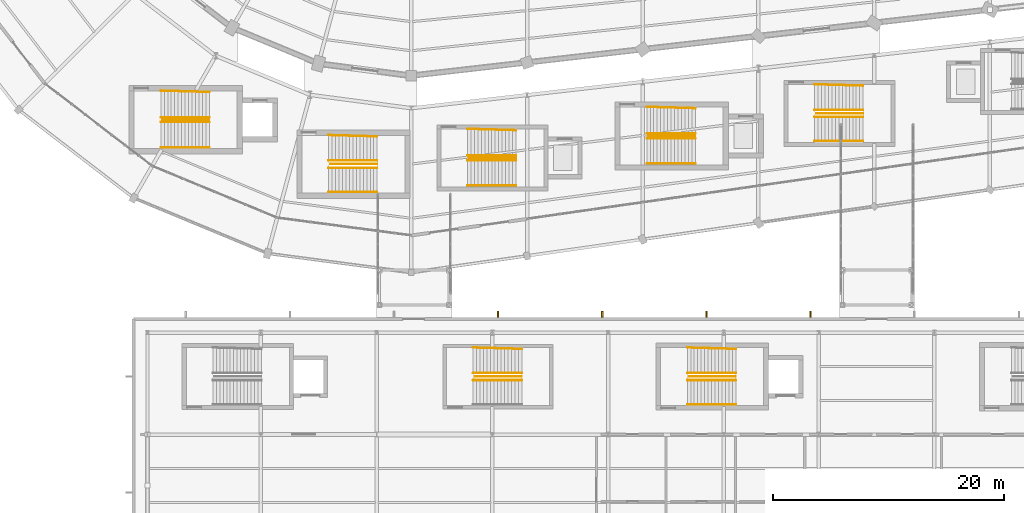
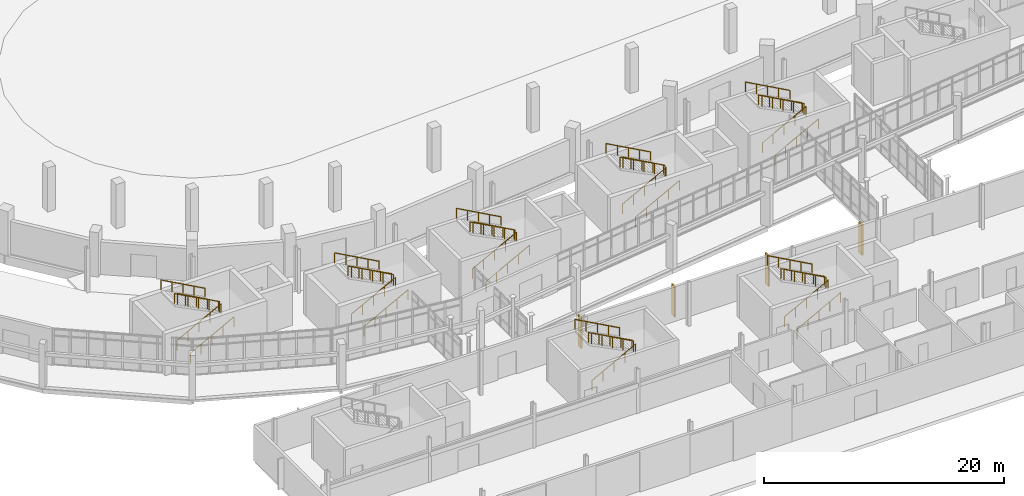
# One storey, part 117 of 122: 34 railings, 4 shading devices.
"""IFC4 building model written with IfcOpenShell, lengths in metres."""

from ifc_helpers import new_model, si_unit, direction, frame, origin, origin_2d, place, context, subcontext, project, spatial, rectangle, circle, extrude, material, layer, layer_set, type_object, element, save


model = new_model("IFC4")

# Units and contexts
model_context = context("Model", 3, precision=1e-05, world=origin(), true_north=direction((0.0, 1.0)))
body_context = subcontext(model_context, "Body", "Model", "MODEL_VIEW")
ifc_project = project(units=[si_unit("LENGTHUNIT", "METRE"), si_unit("AREAUNIT", "SQUARE_METRE"), si_unit("VOLUMEUNIT", "CUBIC_METRE"), si_unit("PLANEANGLEUNIT", "RADIAN"), si_unit("MASSUNIT", "GRAM", prefix="KILO")], contexts=[model_context])

# Site, building, storey
site_placement = place(None, origin())
site = spatial("IfcSite", under=ifc_project, at=site_placement, CompositionType="ELEMENT")
building_placement = place(site_placement, origin())
building = spatial("IfcBuilding", under=site, at=building_placement, Name="Sohan Crest Arena", CompositionType="ELEMENT")
storey_placement = place(building_placement, origin())
storey = spatial("IfcBuildingStorey", under=building, at=storey_placement, Name="L00", CompositionType="ELEMENT", Elevation=0.0)

# Railings
ifc_material_1 = material(Name="Powder-coated wrought steel balustrade", Category="steel")
railing_type_1 = type_object("IfcRailingType", Name="ARC-GRD-01", PredefinedType="GUARDRAIL", material=ifc_material_1)
for number, where, name in (
    (1, (80.530029296875, 43.199951171875, 2.25), "Stair well slot guard GRD-016"),
    (2, (107.030029296875, 39.89990234375, 2.25), "Stair well slot guard GRD-029"),
    (3, (122.530029296875, 41.800048828125, 2.25), "Stair well slot guard GRD-041"),
    (4, (107.530029296875, 21.0, 2.25), "Stair well slot guard GRD-067"),
    (5, (126.030029296875, 21.0, 2.25), "Stair well slot guard GRD-094"),
    (6, (95.030029296875, 39.360107421875, 2.25), "Stair well slot guard GRD-100"),
    (7, (137.030029296875, 43.75, 2.25), "Stair well slot guard GRD-112"),
):
    element("IfcRailing", number, at=place(storey_placement, frame(where)), inside=storey, type_object=railing_type_1, Name=name, PredefinedType="GUARDRAIL", context=body_context, shape_type="SweptSolid", body=[
        extrude(circle(Radius=0.02392578125, at=origin_2d()), frame((0.0, 0.0, 1.076171875), z_axis=(-0.87313487534, 0.0, 0.487478706678), x_axis=(0.0, -1.0, 0.0)), (0.0, 0.0, 1.0), 4.615478515625),
        extrude(circle(Radius=0.02099609375, at=origin_2d()), origin(), (0.0, 0.0, 1.0), 1.052001953125),
        extrude(circle(Radius=0.02099609375, at=origin_2d()), frame((-1.007568359375, 0.0, 0.5625)), (0.0, 0.0, 1.0), 1.052001953125),
        extrude(circle(Radius=0.02099609375, at=origin_2d()), frame((-2.01513671875, 0.0, 1.125)), (0.0, 0.0, 1.0), 1.052001953125),
        extrude(circle(Radius=0.02099609375, at=origin_2d()), frame((-3.0224609375, 0.0, 1.6875)), (0.0, 0.0, 1.0), 1.052001953125),
        extrude(circle(Radius=0.02099609375, at=origin_2d()), frame((-4.030029296875, 0.0, 2.25)), (0.0, 0.0, 1.0), 1.052001953125),
    ])
ifc_material_2 = material(Name="Brushed stainless steel stair handrail", Category="steel")
railing_type_2 = type_object("IfcRailingType", Name="ARC-HR-01", PredefinedType="HANDRAIL", material=ifc_material_2)
for number, where, name in (
    (8, (76.35009765625, 40.81005859375, 0.0), "Stair pitch handrail HR-053"),
    (9, (76.35009765625, 42.989990234375, 0.0), "Stair pitch handrail HR-054"),
):
    element("IfcRailing", number, at=place(storey_placement, frame(where)), inside=storey, type_object=railing_type_2, Name=name, PredefinedType="HANDRAIL", context=body_context, shape_type="SweptSolid", body=[
        extrude(circle(Radius=0.02392578125, at=origin_2d()), frame((0.0, 0.0, 0.97607421875), z_axis=(0.881477684796, 0.0, 0.472225678258), x_axis=(0.0, 1.0, 0.0)), (0.0, 0.0, 1.0), 4.7646484375),
        extrude(circle(Radius=0.02099609375, at=origin_2d()), origin(), (0.0, 0.0, 1.0), 0.951904296875),
        extrude(circle(Radius=0.02099609375, at=origin_2d()), frame((1.050048828125, 0.0, 0.5625)), (0.0, 0.0, 1.0), 0.951904296875),
        extrude(circle(Radius=0.02099609375, at=origin_2d()), frame((2.10009765625, 0.0, 1.125)), (0.0, 0.0, 1.0), 0.951904296875),
        extrude(circle(Radius=0.02099609375, at=origin_2d()), frame((3.14990234375, 0.0, 1.6875)), (0.0, 0.0, 1.0), 0.951904296875),
        extrude(circle(Radius=0.02099609375, at=origin_2d()), frame((4.199951171875, 0.0, 2.25)), (0.0, 0.0, 1.0), 0.951904296875),
    ])
railing_1_placement = place(storey_placement, frame((80.550048828125, 43.409912109375, 2.25)))
element("IfcRailing", 10, at=railing_1_placement, inside=storey, type_object=railing_type_2, Name="Stair pitch handrail HR-055", PredefinedType="HANDRAIL", context=body_context, shape_type="SweptSolid", body=[
    extrude(circle(Radius=0.02392578125, at=origin_2d()), frame((0.0, 0.0, 0.97607421875), z_axis=(-0.881477684796, 0.0, 0.472225678258), x_axis=(0.0, -1.0, 0.0)), (0.0, 0.0, 1.0), 4.7646484375),
    extrude(circle(Radius=0.02099609375, at=origin_2d()), origin(), (0.0, 0.0, 1.0), 0.951904296875),
    extrude(circle(Radius=0.02099609375, at=origin_2d()), frame((-1.050048828125, 0.0, 0.5625)), (0.0, 0.0, 1.0), 0.951904296875),
    extrude(circle(Radius=0.02099609375, at=origin_2d()), frame((-2.10009765625, 0.0, 1.125)), (0.0, 0.0, 1.0), 0.951904296875),
    extrude(circle(Radius=0.02099609375, at=origin_2d()), frame((-3.14990234375, 0.0, 1.6875)), (0.0, 0.0, 1.0), 0.951904296875),
    extrude(circle(Radius=0.02099609375, at=origin_2d()), frame((-4.199951171875, 0.0, 2.25)), (0.0, 0.0, 1.0), 0.951904296875),
])
railing_2_placement = place(storey_placement, frame((80.550048828125, 45.590087890625, 2.25)))
element("IfcRailing", 11, at=railing_2_placement, inside=storey, type_object=railing_type_2, Name="Stair pitch handrail HR-056", PredefinedType="HANDRAIL", context=body_context, shape_type="SweptSolid", body=[
    extrude(circle(Radius=0.02392578125, at=origin_2d()), frame((0.0, 0.0, 0.97607421875), z_axis=(-0.881198846469, 0.025150766356, 0.472076298847), x_axis=(-0.028529915312, -0.999592939117, 0.0)), (0.0, 0.0, 1.0), 4.76611328125),
    extrude(circle(Radius=0.02099609375, at=origin_2d()), origin(), (0.0, 0.0, 1.0), 0.951904296875),
    extrude(circle(Radius=0.02099609375, at=origin_2d()), frame((-1.050048828125, 0.030029296875, 0.5625)), (0.0, 0.0, 1.0), 0.951904296875),
    extrude(circle(Radius=0.02099609375, at=origin_2d()), frame((-2.10009765625, 0.06005859375, 1.125)), (0.0, 0.0, 1.0), 0.951904296875),
    extrude(circle(Radius=0.02099609375, at=origin_2d()), frame((-3.14990234375, 0.08984375, 1.6875)), (0.0, 0.0, 1.0), 0.951904296875),
    extrude(circle(Radius=0.02099609375, at=origin_2d()), frame((-4.199951171875, 0.119873046875, 2.25)), (0.0, 0.0, 1.0), 0.951904296875),
])
for number, where, name in (
    (12, (102.85009765625, 37.510009765625, 0.0), "Stair pitch handrail HR-097"),
    (13, (102.85009765625, 39.68994140625, 0.0), "Stair pitch handrail HR-098"),
):
    element("IfcRailing", number, at=place(storey_placement, frame(where)), inside=storey, type_object=railing_type_2, Name=name, PredefinedType="HANDRAIL", context=body_context, shape_type="SweptSolid", body=[
        extrude(circle(Radius=0.02392578125, at=origin_2d()), frame((0.0, 0.0, 0.97607421875), z_axis=(0.881477684796, 0.0, 0.472225678258), x_axis=(0.0, 1.0, 0.0)), (0.0, 0.0, 1.0), 4.7646484375),
        extrude(circle(Radius=0.02099609375, at=origin_2d()), origin(), (0.0, 0.0, 1.0), 0.951904296875),
        extrude(circle(Radius=0.02099609375, at=origin_2d()), frame((1.050048828125, 0.0, 0.5625)), (0.0, 0.0, 1.0), 0.951904296875),
        extrude(circle(Radius=0.02099609375, at=origin_2d()), frame((2.10009765625, 0.0, 1.125)), (0.0, 0.0, 1.0), 0.951904296875),
        extrude(circle(Radius=0.02099609375, at=origin_2d()), frame((3.14990234375, 0.0, 1.6875)), (0.0, 0.0, 1.0), 0.951904296875),
        extrude(circle(Radius=0.02099609375, at=origin_2d()), frame((4.199951171875, 0.0, 2.25)), (0.0, 0.0, 1.0), 0.951904296875),
    ])
railing_3_placement = place(storey_placement, frame((107.050048828125, 40.110107421875, 2.25)))
element("IfcRailing", 14, at=railing_3_placement, inside=storey, type_object=railing_type_2, Name="Stair pitch handrail HR-099", PredefinedType="HANDRAIL", context=body_context, shape_type="SweptSolid", body=[
    extrude(circle(Radius=0.02392578125, at=origin_2d()), frame((0.0, 0.0, 0.97607421875), z_axis=(-0.881477684796, 0.0, 0.472225678258), x_axis=(0.0, -1.0, 0.0)), (0.0, 0.0, 1.0), 4.7646484375),
    extrude(circle(Radius=0.02099609375, at=origin_2d()), origin(), (0.0, 0.0, 1.0), 0.951904296875),
    extrude(circle(Radius=0.02099609375, at=origin_2d()), frame((-1.050048828125, 0.0, 0.5625)), (0.0, 0.0, 1.0), 0.951904296875),
    extrude(circle(Radius=0.02099609375, at=origin_2d()), frame((-2.10009765625, 0.0, 1.125)), (0.0, 0.0, 1.0), 0.951904296875),
    extrude(circle(Radius=0.02099609375, at=origin_2d()), frame((-3.14990234375, 0.0, 1.6875)), (0.0, 0.0, 1.0), 0.951904296875),
    extrude(circle(Radius=0.02099609375, at=origin_2d()), frame((-4.199951171875, 0.0, 2.25)), (0.0, 0.0, 1.0), 0.951904296875),
])
railing_4_placement = place(storey_placement, frame((107.050048828125, 42.2900390625, 2.25)))
element("IfcRailing", 15, at=railing_4_placement, inside=storey, type_object=railing_type_2, Name="Stair pitch handrail HR-100", PredefinedType="HANDRAIL", context=body_context, shape_type="SweptSolid", body=[
    extrude(circle(Radius=0.02392578125, at=origin_2d()), frame((0.0, 0.0, 0.97607421875), z_axis=(-0.881198846469, 0.025150766356, 0.472076298847), x_axis=(-0.028529915312, -0.999592939117, 0.0)), (0.0, 0.0, 1.0), 4.76611328125),
    extrude(circle(Radius=0.02099609375, at=origin_2d()), origin(), (0.0, 0.0, 1.0), 0.951904296875),
    extrude(circle(Radius=0.02099609375, at=origin_2d()), frame((-1.050048828125, 0.030029296875, 0.5625)), (0.0, 0.0, 1.0), 0.951904296875),
    extrude(circle(Radius=0.02099609375, at=origin_2d()), frame((-2.10009765625, 0.06005859375, 1.125)), (0.0, 0.0, 1.0), 0.951904296875),
    extrude(circle(Radius=0.02099609375, at=origin_2d()), frame((-3.14990234375, 0.08984375, 1.6875)), (0.0, 0.0, 1.0), 0.951904296875),
    extrude(circle(Radius=0.02099609375, at=origin_2d()), frame((-4.199951171875, 0.119873046875, 2.25)), (0.0, 0.0, 1.0), 0.951904296875),
])
for number, where, name in (
    (16, (118.35009765625, 39.409912109375, 0.0), "Stair pitch handrail HR-137"),
    (17, (118.35009765625, 41.590087890625, 0.0), "Stair pitch handrail HR-138"),
):
    element("IfcRailing", number, at=place(storey_placement, frame(where)), inside=storey, type_object=railing_type_2, Name=name, PredefinedType="HANDRAIL", context=body_context, shape_type="SweptSolid", body=[
        extrude(circle(Radius=0.02392578125, at=origin_2d()), frame((0.0, 0.0, 0.97607421875), z_axis=(0.881477684796, 0.0, 0.472225678258), x_axis=(0.0, 1.0, 0.0)), (0.0, 0.0, 1.0), 4.7646484375),
        extrude(circle(Radius=0.02099609375, at=origin_2d()), origin(), (0.0, 0.0, 1.0), 0.951904296875),
        extrude(circle(Radius=0.02099609375, at=origin_2d()), frame((1.050048828125, 0.0, 0.5625)), (0.0, 0.0, 1.0), 0.951904296875),
        extrude(circle(Radius=0.02099609375, at=origin_2d()), frame((2.10009765625, 0.0, 1.125)), (0.0, 0.0, 1.0), 0.951904296875),
        extrude(circle(Radius=0.02099609375, at=origin_2d()), frame((3.14990234375, 0.0, 1.6875)), (0.0, 0.0, 1.0), 0.951904296875),
        extrude(circle(Radius=0.02099609375, at=origin_2d()), frame((4.199951171875, 0.0, 2.25)), (0.0, 0.0, 1.0), 0.951904296875),
    ])
railing_5_placement = place(storey_placement, frame((122.550048828125, 42.010009765625, 2.25)))
element("IfcRailing", 18, at=railing_5_placement, inside=storey, type_object=railing_type_2, Name="Stair pitch handrail HR-139", PredefinedType="HANDRAIL", context=body_context, shape_type="SweptSolid", body=[
    extrude(circle(Radius=0.02392578125, at=origin_2d()), frame((0.0, 0.0, 0.97607421875), z_axis=(-0.881477684796, 0.0, 0.472225678258), x_axis=(0.0, -1.0, 0.0)), (0.0, 0.0, 1.0), 4.7646484375),
    extrude(circle(Radius=0.02099609375, at=origin_2d()), origin(), (0.0, 0.0, 1.0), 0.951904296875),
    extrude(circle(Radius=0.02099609375, at=origin_2d()), frame((-1.050048828125, 0.0, 0.5625)), (0.0, 0.0, 1.0), 0.951904296875),
    extrude(circle(Radius=0.02099609375, at=origin_2d()), frame((-2.10009765625, 0.0, 1.125)), (0.0, 0.0, 1.0), 0.951904296875),
    extrude(circle(Radius=0.02099609375, at=origin_2d()), frame((-3.14990234375, 0.0, 1.6875)), (0.0, 0.0, 1.0), 0.951904296875),
    extrude(circle(Radius=0.02099609375, at=origin_2d()), frame((-4.199951171875, 0.0, 2.25)), (0.0, 0.0, 1.0), 0.951904296875),
])
railing_6_placement = place(storey_placement, frame((122.550048828125, 44.18994140625, 2.25)))
element("IfcRailing", 19, at=railing_6_placement, inside=storey, type_object=railing_type_2, Name="Stair pitch handrail HR-140", PredefinedType="HANDRAIL", context=body_context, shape_type="SweptSolid", body=[
    extrude(circle(Radius=0.02392578125, at=origin_2d()), frame((0.0, 0.0, 0.97607421875), z_axis=(-0.881197710057, 0.025201957411, 0.472075690047), x_axis=(-0.028587973606, -0.999591280357, 0.0)), (0.0, 0.0, 1.0), 4.76611328125),
    extrude(circle(Radius=0.02099609375, at=origin_2d()), origin(), (0.0, 0.0, 1.0), 0.951904296875),
    extrude(circle(Radius=0.02099609375, at=origin_2d()), frame((-1.050048828125, 0.030029296875, 0.5625)), (0.0, 0.0, 1.0), 0.951904296875),
    extrude(circle(Radius=0.02099609375, at=origin_2d()), frame((-2.10009765625, 0.06005859375, 1.125)), (0.0, 0.0, 1.0), 0.951904296875),
    extrude(circle(Radius=0.02099609375, at=origin_2d()), frame((-3.14990234375, 0.090087890625, 1.6875)), (0.0, 0.0, 1.0), 0.951904296875),
    extrude(circle(Radius=0.02099609375, at=origin_2d()), frame((-4.199951171875, 0.1201171875, 2.25)), (0.0, 0.0, 1.0), 0.951904296875),
])
railing_7_placement = place(storey_placement, frame((103.35009765625, 20.68994140625, 0.0)))
element("IfcRailing", 20, at=railing_7_placement, inside=storey, type_object=railing_type_2, Name="Stair pitch handrail HR-222", PredefinedType="HANDRAIL", context=body_context, shape_type="SweptSolid", body=[
    extrude(circle(Radius=0.02392578125, at=origin_2d()), frame((0.0, 0.0, 0.97607421875), z_axis=(0.881477684796, 0.0, 0.472225678258), x_axis=(0.0, 1.0, 0.0)), (0.0, 0.0, 1.0), 4.7646484375),
    extrude(circle(Radius=0.02099609375, at=origin_2d()), origin(), (0.0, 0.0, 1.0), 0.951904296875),
    extrude(circle(Radius=0.02099609375, at=origin_2d()), frame((1.050048828125, 0.0, 0.5625)), (0.0, 0.0, 1.0), 0.951904296875),
    extrude(circle(Radius=0.02099609375, at=origin_2d()), frame((2.10009765625, 0.0, 1.125)), (0.0, 0.0, 1.0), 0.951904296875),
    extrude(circle(Radius=0.02099609375, at=origin_2d()), frame((3.14990234375, 0.0, 1.6875)), (0.0, 0.0, 1.0), 0.951904296875),
    extrude(circle(Radius=0.02099609375, at=origin_2d()), frame((4.199951171875, 0.0, 2.25)), (0.0, 0.0, 1.0), 0.951904296875),
])
railing_8_placement = place(storey_placement, frame((107.550048828125, 21.31005859375, 2.25)))
element("IfcRailing", 21, at=railing_8_placement, inside=storey, type_object=railing_type_2, Name="Stair pitch handrail HR-223", PredefinedType="HANDRAIL", context=body_context, shape_type="SweptSolid", body=[
    extrude(circle(Radius=0.02392578125, at=origin_2d()), frame((0.0, 0.0, 0.97607421875), z_axis=(-0.881477684796, 0.0, 0.472225678258), x_axis=(0.0, -1.0, 0.0)), (0.0, 0.0, 1.0), 4.7646484375),
    extrude(circle(Radius=0.02099609375, at=origin_2d()), origin(), (0.0, 0.0, 1.0), 0.951904296875),
    extrude(circle(Radius=0.02099609375, at=origin_2d()), frame((-1.050048828125, 0.0, 0.5625)), (0.0, 0.0, 1.0), 0.951904296875),
    extrude(circle(Radius=0.02099609375, at=origin_2d()), frame((-2.10009765625, 0.0, 1.125)), (0.0, 0.0, 1.0), 0.951904296875),
    extrude(circle(Radius=0.02099609375, at=origin_2d()), frame((-3.14990234375, 0.0, 1.6875)), (0.0, 0.0, 1.0), 0.951904296875),
    extrude(circle(Radius=0.02099609375, at=origin_2d()), frame((-4.199951171875, 0.0, 2.25)), (0.0, 0.0, 1.0), 0.951904296875),
])
railing_9_placement = place(storey_placement, frame((107.550048828125, 23.389892578125, 2.25)))
element("IfcRailing", 22, at=railing_9_placement, inside=storey, type_object=railing_type_2, Name="Stair pitch handrail HR-224", PredefinedType="HANDRAIL", context=body_context, shape_type="SweptSolid", body=[
    extrude(circle(Radius=0.02392578125, at=origin_2d()), frame((0.0, 0.0, 0.97607421875), z_axis=(-0.881197710057, 0.025201957411, 0.472075690047), x_axis=(-0.028587973606, -0.999591280357, 0.0)), (0.0, 0.0, 1.0), 4.76611328125),
    extrude(circle(Radius=0.02099609375, at=origin_2d()), origin(), (0.0, 0.0, 1.0), 0.951904296875),
    extrude(circle(Radius=0.02099609375, at=origin_2d()), frame((-1.050048828125, 0.030029296875, 0.5625)), (0.0, 0.0, 1.0), 0.951904296875),
    extrude(circle(Radius=0.02099609375, at=origin_2d()), frame((-2.10009765625, 0.06005859375, 1.125)), (0.0, 0.0, 1.0), 0.951904296875),
    extrude(circle(Radius=0.02099609375, at=origin_2d()), frame((-3.14990234375, 0.090087890625, 1.6875)), (0.0, 0.0, 1.0), 0.951904296875),
    extrude(circle(Radius=0.02099609375, at=origin_2d()), frame((-4.199951171875, 0.1201171875, 2.25)), (0.0, 0.0, 1.0), 0.951904296875),
])
for number, where, name in (
    (23, (121.85009765625, 18.610107421875, 0.0), "Stair pitch handrail HR-305"),
    (24, (121.85009765625, 20.68994140625, 0.0), "Stair pitch handrail HR-306"),
):
    element("IfcRailing", number, at=place(storey_placement, frame(where)), inside=storey, type_object=railing_type_2, Name=name, PredefinedType="HANDRAIL", context=body_context, shape_type="SweptSolid", body=[
        extrude(circle(Radius=0.02392578125, at=origin_2d()), frame((0.0, 0.0, 0.97607421875), z_axis=(0.881477684796, 0.0, 0.472225678258), x_axis=(0.0, 1.0, 0.0)), (0.0, 0.0, 1.0), 4.7646484375),
        extrude(circle(Radius=0.02099609375, at=origin_2d()), origin(), (0.0, 0.0, 1.0), 0.951904296875),
        extrude(circle(Radius=0.02099609375, at=origin_2d()), frame((1.050048828125, 0.0, 0.5625)), (0.0, 0.0, 1.0), 0.951904296875),
        extrude(circle(Radius=0.02099609375, at=origin_2d()), frame((2.10009765625, 0.0, 1.125)), (0.0, 0.0, 1.0), 0.951904296875),
        extrude(circle(Radius=0.02099609375, at=origin_2d()), frame((3.14990234375, 0.0, 1.6875)), (0.0, 0.0, 1.0), 0.951904296875),
        extrude(circle(Radius=0.02099609375, at=origin_2d()), frame((4.199951171875, 0.0, 2.25)), (0.0, 0.0, 1.0), 0.951904296875),
    ])
railing_10_placement = place(storey_placement, frame((126.050048828125, 21.31005859375, 2.25)))
element("IfcRailing", 25, at=railing_10_placement, inside=storey, type_object=railing_type_2, Name="Stair pitch handrail HR-307", PredefinedType="HANDRAIL", context=body_context, shape_type="SweptSolid", body=[
    extrude(circle(Radius=0.02392578125, at=origin_2d()), frame((0.0, 0.0, 0.97607421875), z_axis=(-0.881477684796, 0.0, 0.472225678258), x_axis=(0.0, -1.0, 0.0)), (0.0, 0.0, 1.0), 4.7646484375),
    extrude(circle(Radius=0.02099609375, at=origin_2d()), origin(), (0.0, 0.0, 1.0), 0.951904296875),
    extrude(circle(Radius=0.02099609375, at=origin_2d()), frame((-1.050048828125, 0.0, 0.5625)), (0.0, 0.0, 1.0), 0.951904296875),
    extrude(circle(Radius=0.02099609375, at=origin_2d()), frame((-2.10009765625, 0.0, 1.125)), (0.0, 0.0, 1.0), 0.951904296875),
    extrude(circle(Radius=0.02099609375, at=origin_2d()), frame((-3.14990234375, 0.0, 1.6875)), (0.0, 0.0, 1.0), 0.951904296875),
    extrude(circle(Radius=0.02099609375, at=origin_2d()), frame((-4.199951171875, 0.0, 2.25)), (0.0, 0.0, 1.0), 0.951904296875),
])
railing_11_placement = place(storey_placement, frame((126.050048828125, 23.389892578125, 2.25)))
element("IfcRailing", 26, at=railing_11_placement, inside=storey, type_object=railing_type_2, Name="Stair pitch handrail HR-308", PredefinedType="HANDRAIL", context=body_context, shape_type="SweptSolid", body=[
    extrude(circle(Radius=0.02392578125, at=origin_2d()), frame((0.0, 0.0, 0.97607421875), z_axis=(-0.881197710057, 0.025201957411, 0.472075690047), x_axis=(-0.028587973606, -0.999591280357, 0.0)), (0.0, 0.0, 1.0), 4.76611328125),
    extrude(circle(Radius=0.02099609375, at=origin_2d()), origin(), (0.0, 0.0, 1.0), 0.951904296875),
    extrude(circle(Radius=0.02099609375, at=origin_2d()), frame((-1.050048828125, 0.030029296875, 0.5625)), (0.0, 0.0, 1.0), 0.951904296875),
    extrude(circle(Radius=0.02099609375, at=origin_2d()), frame((-2.10009765625, 0.06005859375, 1.125)), (0.0, 0.0, 1.0), 0.951904296875),
    extrude(circle(Radius=0.02099609375, at=origin_2d()), frame((-3.14990234375, 0.090087890625, 1.6875)), (0.0, 0.0, 1.0), 0.951904296875),
    extrude(circle(Radius=0.02099609375, at=origin_2d()), frame((-4.199951171875, 0.1201171875, 2.25)), (0.0, 0.0, 1.0), 0.951904296875),
])
for number, where, name in (
    (27, (90.85009765625, 36.969970703125, 0.0), "Stair pitch handrail HR-325"),
    (28, (90.85009765625, 39.050048828125, 0.0), "Stair pitch handrail HR-326"),
):
    element("IfcRailing", number, at=place(storey_placement, frame(where)), inside=storey, type_object=railing_type_2, Name=name, PredefinedType="HANDRAIL", context=body_context, shape_type="SweptSolid", body=[
        extrude(circle(Radius=0.02392578125, at=origin_2d()), frame((0.0, 0.0, 0.97607421875), z_axis=(0.881477684796, 0.0, 0.472225678258), x_axis=(0.0, 1.0, 0.0)), (0.0, 0.0, 1.0), 4.7646484375),
        extrude(circle(Radius=0.02099609375, at=origin_2d()), origin(), (0.0, 0.0, 1.0), 0.951904296875),
        extrude(circle(Radius=0.02099609375, at=origin_2d()), frame((1.050048828125, 0.0, 0.5625)), (0.0, 0.0, 1.0), 0.951904296875),
        extrude(circle(Radius=0.02099609375, at=origin_2d()), frame((2.10009765625, 0.0, 1.125)), (0.0, 0.0, 1.0), 0.951904296875),
        extrude(circle(Radius=0.02099609375, at=origin_2d()), frame((3.14990234375, 0.0, 1.6875)), (0.0, 0.0, 1.0), 0.951904296875),
        extrude(circle(Radius=0.02099609375, at=origin_2d()), frame((4.199951171875, 0.0, 2.25)), (0.0, 0.0, 1.0), 0.951904296875),
    ])
railing_12_placement = place(storey_placement, frame((95.050048828125, 39.669921875, 2.25)))
element("IfcRailing", 29, at=railing_12_placement, inside=storey, type_object=railing_type_2, Name="Stair pitch handrail HR-327", PredefinedType="HANDRAIL", context=body_context, shape_type="SweptSolid", body=[
    extrude(circle(Radius=0.02392578125, at=origin_2d()), frame((0.0, 0.0, 0.97607421875), z_axis=(-0.881477684796, 0.0, 0.472225678258), x_axis=(0.0, -1.0, 0.0)), (0.0, 0.0, 1.0), 4.7646484375),
    extrude(circle(Radius=0.02099609375, at=origin_2d()), origin(), (0.0, 0.0, 1.0), 0.951904296875),
    extrude(circle(Radius=0.02099609375, at=origin_2d()), frame((-1.050048828125, 0.0, 0.5625)), (0.0, 0.0, 1.0), 0.951904296875),
    extrude(circle(Radius=0.02099609375, at=origin_2d()), frame((-2.10009765625, 0.0, 1.125)), (0.0, 0.0, 1.0), 0.951904296875),
    extrude(circle(Radius=0.02099609375, at=origin_2d()), frame((-3.14990234375, 0.0, 1.6875)), (0.0, 0.0, 1.0), 0.951904296875),
    extrude(circle(Radius=0.02099609375, at=origin_2d()), frame((-4.199951171875, 0.0, 2.25)), (0.0, 0.0, 1.0), 0.951904296875),
])
railing_13_placement = place(storey_placement, frame((95.050048828125, 41.75, 2.25)))
element("IfcRailing", 30, at=railing_13_placement, inside=storey, type_object=railing_type_2, Name="Stair pitch handrail HR-328", PredefinedType="HANDRAIL", context=body_context, shape_type="SweptSolid", body=[
    extrude(circle(Radius=0.02392578125, at=origin_2d()), frame((0.0, 0.0, 0.97607421875), z_axis=(-0.881197710057, 0.025201957411, 0.472075690047), x_axis=(-0.028587973606, -0.999591280357, 0.0)), (0.0, 0.0, 1.0), 4.76611328125),
    extrude(circle(Radius=0.02099609375, at=origin_2d()), origin(), (0.0, 0.0, 1.0), 0.951904296875),
    extrude(circle(Radius=0.02099609375, at=origin_2d()), frame((-1.050048828125, 0.030029296875, 0.5625)), (0.0, 0.0, 1.0), 0.951904296875),
    extrude(circle(Radius=0.02099609375, at=origin_2d()), frame((-2.10009765625, 0.06005859375, 1.125)), (0.0, 0.0, 1.0), 0.951904296875),
    extrude(circle(Radius=0.02099609375, at=origin_2d()), frame((-3.14990234375, 0.090087890625, 1.6875)), (0.0, 0.0, 1.0), 0.951904296875),
    extrude(circle(Radius=0.02099609375, at=origin_2d()), frame((-4.199951171875, 0.1201171875, 2.25)), (0.0, 0.0, 1.0), 0.951904296875),
])
for number, where, name in (
    (31, (132.85009765625, 41.360107421875, 0.0), "Stair pitch handrail HR-365"),
    (32, (132.85009765625, 43.43994140625, 0.0), "Stair pitch handrail HR-366"),
):
    element("IfcRailing", number, at=place(storey_placement, frame(where)), inside=storey, type_object=railing_type_2, Name=name, PredefinedType="HANDRAIL", context=body_context, shape_type="SweptSolid", body=[
        extrude(circle(Radius=0.02392578125, at=origin_2d()), frame((0.0, 0.0, 0.97607421875), z_axis=(0.881477684796, 0.0, 0.472225678258), x_axis=(0.0, 1.0, 0.0)), (0.0, 0.0, 1.0), 4.7646484375),
        extrude(circle(Radius=0.02099609375, at=origin_2d()), origin(), (0.0, 0.0, 1.0), 0.951904296875),
        extrude(circle(Radius=0.02099609375, at=origin_2d()), frame((1.050048828125, 0.0, 0.5625)), (0.0, 0.0, 1.0), 0.951904296875),
        extrude(circle(Radius=0.02099609375, at=origin_2d()), frame((2.10009765625, 0.0, 1.125)), (0.0, 0.0, 1.0), 0.951904296875),
        extrude(circle(Radius=0.02099609375, at=origin_2d()), frame((3.14990234375, 0.0, 1.6875)), (0.0, 0.0, 1.0), 0.951904296875),
        extrude(circle(Radius=0.02099609375, at=origin_2d()), frame((4.199951171875, 0.0, 2.25)), (0.0, 0.0, 1.0), 0.951904296875),
    ])
railing_14_placement = place(storey_placement, frame((137.050048828125, 44.06005859375, 2.25)))
element("IfcRailing", 33, at=railing_14_placement, inside=storey, type_object=railing_type_2, Name="Stair pitch handrail HR-367", PredefinedType="HANDRAIL", context=body_context, shape_type="SweptSolid", body=[
    extrude(circle(Radius=0.02392578125, at=origin_2d()), frame((0.0, 0.0, 0.97607421875), z_axis=(-0.881477684796, 0.0, 0.472225678258), x_axis=(0.0, -1.0, 0.0)), (0.0, 0.0, 1.0), 4.7646484375),
    extrude(circle(Radius=0.02099609375, at=origin_2d()), origin(), (0.0, 0.0, 1.0), 0.951904296875),
    extrude(circle(Radius=0.02099609375, at=origin_2d()), frame((-1.050048828125, 0.0, 0.5625)), (0.0, 0.0, 1.0), 0.951904296875),
    extrude(circle(Radius=0.02099609375, at=origin_2d()), frame((-2.10009765625, 0.0, 1.125)), (0.0, 0.0, 1.0), 0.951904296875),
    extrude(circle(Radius=0.02099609375, at=origin_2d()), frame((-3.14990234375, 0.0, 1.6875)), (0.0, 0.0, 1.0), 0.951904296875),
    extrude(circle(Radius=0.02099609375, at=origin_2d()), frame((-4.199951171875, 0.0, 2.25)), (0.0, 0.0, 1.0), 0.951904296875),
])
railing_15_placement = place(storey_placement, frame((137.050048828125, 46.139892578125, 2.25)))
element("IfcRailing", 34, at=railing_15_placement, inside=storey, type_object=railing_type_2, Name="Stair pitch handrail HR-368", PredefinedType="HANDRAIL", context=body_context, shape_type="SweptSolid", body=[
    extrude(circle(Radius=0.02392578125, at=origin_2d()), frame((0.0, 0.0, 0.97607421875), z_axis=(-0.881197710057, 0.025201957411, 0.472075690047), x_axis=(-0.028587973606, -0.999591280357, 0.0)), (0.0, 0.0, 1.0), 4.76611328125),
    extrude(circle(Radius=0.02099609375, at=origin_2d()), origin(), (0.0, 0.0, 1.0), 0.951904296875),
    extrude(circle(Radius=0.02099609375, at=origin_2d()), frame((-1.050048828125, 0.030029296875, 0.5625)), (0.0, 0.0, 1.0), 0.951904296875),
    extrude(circle(Radius=0.02099609375, at=origin_2d()), frame((-2.10009765625, 0.06005859375, 1.125)), (0.0, 0.0, 1.0), 0.951904296875),
    extrude(circle(Radius=0.02099609375, at=origin_2d()), frame((-3.14990234375, 0.090087890625, 1.6875)), (0.0, 0.0, 1.0), 0.951904296875),
    extrude(circle(Radius=0.02099609375, at=origin_2d()), frame((-4.199951171875, 0.1201171875, 2.25)), (0.0, 0.0, 1.0), 0.951904296875),
])

# Shading devices
ifc_material_3 = material(Name="Glazed terracotta ceramic solar fin", Category="masonry")
ifc_layer = layer(ifc_material_3, 0.070068359375, Name="Glazed terracotta ceramic solar fin")
ifc_layer_set = layer_set([ifc_layer], Name="Glazed terracotta ceramic solar fin")
shading_device_type = type_object("IfcShadingDeviceType", Name="ARC-SHD-FIN1", PredefinedType="USERDEFINED", material=ifc_layer_set)
for number, where, z_axis, x_axis, name in (
    (35, (132.5, 26.389892578125, 0.199951171875), (0.0, 0.0, 1.0), (-1.0, 0.0, 0.0), "Catalan terracotta facade fin FIN-042"),
    (36, (123.5, 26.389892578125, 0.199951171875), (0.0, 0.0, 1.0), (-1.0, 0.0, 0.0), "Catalan terracotta facade fin FIN-043"),
    (37, (114.5, 26.389892578125, 0.199951171875), (0.0, 0.0, 1.0), (-1.0, 0.0, 0.0), "Catalan terracotta facade fin FIN-044"),
    (38, (105.5, 26.389892578125, 0.199951171875), (0.0, 0.0, 1.0), (-1.0, 0.0, 0.0), "Catalan terracotta facade fin FIN-045"),
):
    element("IfcShadingDevice", number, at=place(storey_placement, frame(where, z_axis=z_axis, x_axis=x_axis)), inside=storey, type_object=shading_device_type, Name=name, ObjectType="FIN", PredefinedType="USERDEFINED", context=body_context, shape_type="SweptSolid", body=[
        extrude(rectangle(XDim=0.139892578125, YDim=0.550048828125, at=origin_2d()), origin(), (0.0, 0.0, 1.0), 3.10009765625),
    ])

save(model, "model.ifc")
